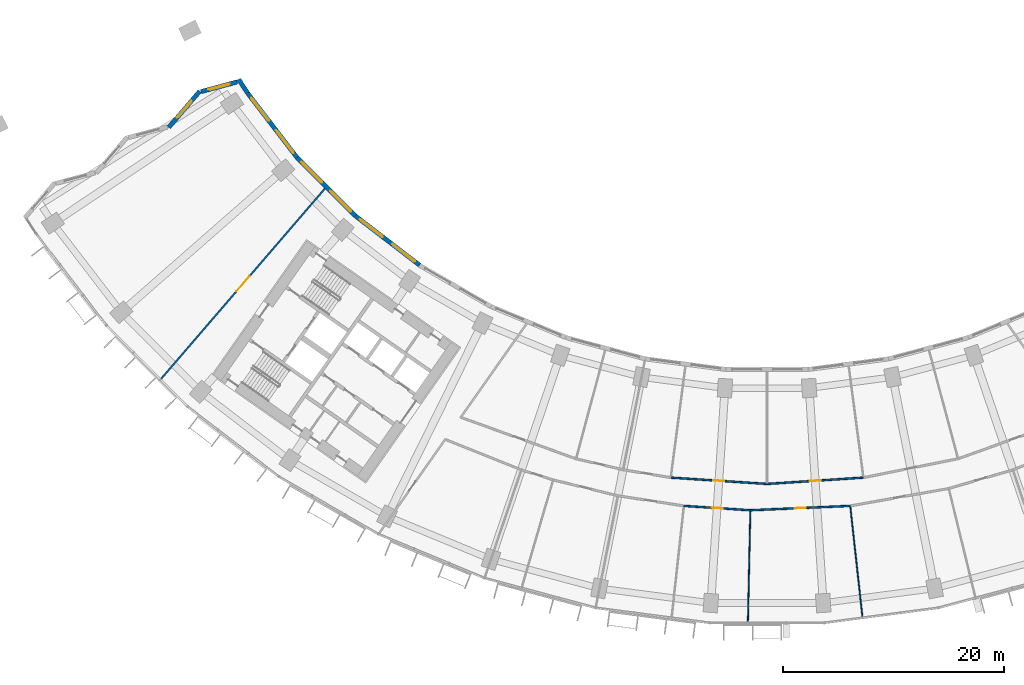
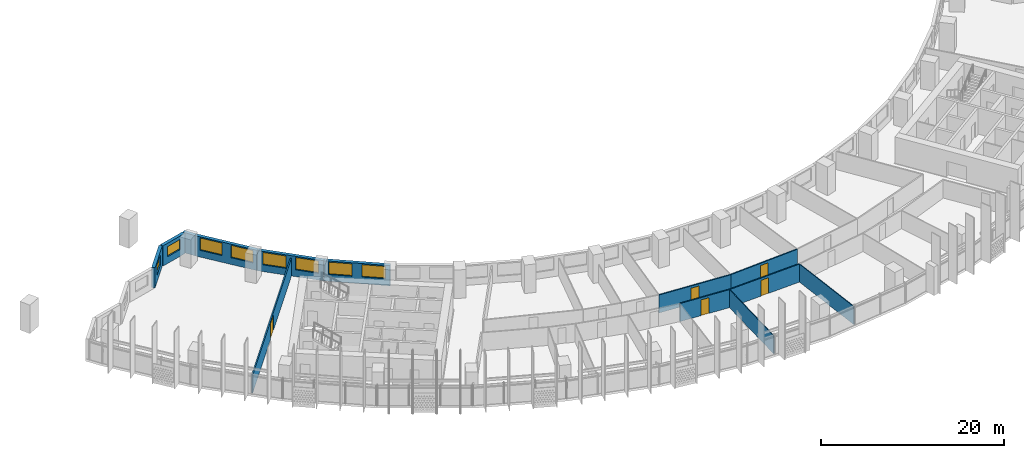
# One storey, part 5 of 31: 13 walls, 8 windows, 5 doors, 13 openings.
"""IFC4 building model written with IfcOpenShell, lengths in metres."""

from ifc_helpers import new_model, si_unit, direction, frame, frame_2d, origin, place, context, subcontext, project, spatial, rectangle, extrude, material, layer, layer_set, type_object, element, fill, save


model = new_model("IFC4")

# Units and contexts
model_context = context("Model", 3, precision=1e-05, world=origin(), true_north=direction((0.0, 1.0)))
body_context = subcontext(model_context, "Body", "Model", "MODEL_VIEW")
ifc_project = project(units=[si_unit("LENGTHUNIT", "METRE"), si_unit("AREAUNIT", "SQUARE_METRE"), si_unit("VOLUMEUNIT", "CUBIC_METRE"), si_unit("PLANEANGLEUNIT", "RADIAN"), si_unit("MASSUNIT", "GRAM", prefix="KILO")], contexts=[model_context])

# Site, building, storey
site_placement = place(None, origin())
site = spatial("IfcSite", under=ifc_project, at=site_placement, CompositionType="ELEMENT")
building_placement = place(site_placement, origin())
building = spatial("IfcBuilding", under=site, at=building_placement, Name="Qamariyya Broadcast Tower", CompositionType="ELEMENT")
storey_placement = place(building_placement, frame((0.0, 0.0, 48.10009765625)))
storey = spatial("IfcBuildingStorey", under=building, at=storey_placement, Name="L08", CompositionType="ELEMENT", Elevation=48.10009765625)

# Wall, opening, door
ifc_material_1 = material(Name="Gypsum board partition")
ifc_layer_1 = layer(ifc_material_1, 0.14990234375)
ifc_layer_set_1 = layer_set([ifc_layer_1], Name="Corridor partition 150 EI 60")
wall_type_1 = type_object("IfcWallType", Name="Corridor partition 150 EI 60", PredefinedType="PARTITIONING", material=ifc_layer_set_1)
wall_1_placement = place(storey_placement, frame((-54.842041015625, -57.27685546875, 0.0), z_axis=(0.0, 0.0, 1.0), x_axis=(0.652471531746, 0.757813235739, 0.0)))
wall_1 = element("IfcWall", 1, at=wall_1_placement, inside=storey, type_object=wall_type_1, Name="Partition L08-001", PredefinedType="PARTITIONING", context=body_context, shape_type="SweptSolid", body=[
    extrude(rectangle(XDim=22.71484375, YDim=0.14990234375, at=frame_2d((11.357421875, 0.0))), origin(), (0.0, 0.0, 1.0), 2.39990234375),
])
opening_1_placement = place(wall_1_placement, frame((10.45751953125, 0.0, 0.0)))
opening_1 = element("IfcOpeningElement", 2, at=opening_1_placement, cuts=wall_1, Name="Opening L08-D17", PredefinedType="OPENING", context=body_context, shape_type="SweptSolid", body=[
    extrude(rectangle(XDim=1.800048828125, YDim=2.10009765625, at=frame_2d((0.89990234375, 1.050048828125))), frame((0.0, 0.0849609375, 0.0), z_axis=(0.0, -1.0, 0.0), x_axis=(1.0, 0.0, 0.0)), (0.0, 0.0, 1.0), 0.169921875),
])
ifc_material_2 = material(Name="Timber fire door leaf", Category="wood")
door_type_1 = type_object("IfcDoorType", Name="Double fire door 1800 x 2100 FD60", OperationType="NOTDEFINED", PredefinedType="DOOR", material=ifc_material_2)
door_1_placement = place(opening_1_placement, origin())
door_1 = element("IfcDoor", 3, at=door_1_placement, inside=storey, type_object=door_type_1, Name="Door L08-D17", OperationType="DOUBLE_DOOR_SINGLE_SWING", OverallHeight=2.10009765625, OverallWidth=1.800048828125, PredefinedType="DOOR", context=body_context, shape_type="SweptSolid", body=[
    extrude(rectangle(XDim=1.800048828125, YDim=2.10009765625, at=frame_2d((0.89990234375, 1.050048828125))), frame((0.0, 0.02490234375, 0.0), z_axis=(0.0, -1.0, 0.0), x_axis=(1.0, 0.0, 0.0)), (0.0, 0.0, 1.0), 0.050048828125),
])
fill(opening_1, door_1)

wall_2_placement = place(storey_placement, frame((-8.71923828125, -66.228515625, 0.0), z_axis=(0.0, 0.0, 1.0), x_axis=(0.997858593599, -0.065408158359, 0.0)))
wall_2 = element("IfcWall", 4, at=wall_2_placement, inside=storey, type_object=wall_type_1, Name="Partition L08-016", PredefinedType="PARTITIONING", context=body_context, shape_type="SweptSolid", body=[
    extrude(rectangle(XDim=8.738037109375, YDim=0.14990234375, at=frame_2d((4.369140625, 0.0))), origin(), (0.0, 0.0, 1.0), 2.39990234375),
])
opening_2_placement = place(wall_2_placement, frame((3.868896484375, 0.0, 0.0)))
opening_2 = element("IfcOpeningElement", 5, at=opening_2_placement, cuts=wall_2, Name="Opening L08-D13", PredefinedType="OPENING", context=body_context, shape_type="SweptSolid", body=[
    extrude(rectangle(XDim=1.0, YDim=2.10009765625, at=frame_2d((0.5, 1.050048828125))), frame((0.0, 0.0849609375, 0.0), z_axis=(0.0, -1.0, 0.0), x_axis=(1.0, 0.0, 0.0)), (0.0, 0.0, 1.0), 0.169921875),
])
door_type_2 = type_object("IfcDoorType", Name="Fire door 1000 x 2100 FD60", OperationType="NOTDEFINED", PredefinedType="DOOR", material=ifc_material_2)
door_2_placement = place(opening_2_placement, origin())
door_2 = element("IfcDoor", 6, at=door_2_placement, inside=storey, type_object=door_type_2, Name="Door L08-D13", OperationType="SINGLE_SWING_RIGHT", OverallHeight=2.10009765625, OverallWidth=1.0, PredefinedType="DOOR", context=body_context, shape_type="SweptSolid", body=[
    extrude(rectangle(XDim=1.0, YDim=2.10009765625, at=frame_2d((0.5, 1.050048828125))), frame((0.0, 0.02490234375, 0.0), z_axis=(0.0, -1.0, 0.0), x_axis=(1.0, 0.0, 0.0)), (0.0, 0.0, 1.0), 0.050048828125),
])
fill(opening_2, door_2)

wall_3_placement = place(storey_placement, frame((-1.511474609375, -69.18359375, 0.0), z_axis=(0.0, 0.0, 1.0), x_axis=(-0.997856905736, 0.065433903101, 0.0)))
wall_3 = element("IfcWall", 7, at=wall_3_placement, inside=storey, type_object=wall_type_1, Name="Partition L08-018", PredefinedType="PARTITIONING", context=body_context, shape_type="SweptSolid", body=[
    extrude(rectangle(XDim=6.033203125, YDim=0.14990234375, at=frame_2d((3.0166015625, 0.0))), origin(), (0.0, 0.0, 1.0), 2.39990234375),
])
opening_3_placement = place(wall_3_placement, frame((2.5166015625, 0.0, 0.0)))
opening_3 = element("IfcOpeningElement", 8, at=opening_3_placement, cuts=wall_3, Name="Opening L08-D05", PredefinedType="OPENING", context=body_context, shape_type="SweptSolid", body=[
    extrude(rectangle(XDim=1.0, YDim=2.10009765625, at=frame_2d((0.5, 1.050048828125))), frame((0.0, 0.0849609375, 0.0), z_axis=(0.0, -1.0, 0.0), x_axis=(1.0, 0.0, 0.0)), (0.0, 0.0, 1.0), 0.169921875),
])
door_3_placement = place(opening_3_placement, origin())
door_3 = element("IfcDoor", 9, at=door_3_placement, inside=storey, type_object=door_type_2, Name="Door L08-D05", OperationType="SINGLE_SWING_RIGHT", OverallHeight=2.10009765625, OverallWidth=1.0, PredefinedType="DOOR", context=body_context, shape_type="SweptSolid", body=[
    extrude(rectangle(XDim=1.0, YDim=2.10009765625, at=frame_2d((0.5, 1.050048828125))), frame((0.0, 0.02490234375, 0.0), z_axis=(0.0, -1.0, 0.0), x_axis=(1.0, 0.0, 0.0)), (0.0, 0.0, 1.0), 0.050048828125),
])
fill(opening_3, door_3)

wall_4_placement = place(storey_placement, frame((7.53173828125, -68.788818359375, 0.0), z_axis=(0.0, 0.0, 1.0), x_axis=(-0.999048509506, -0.043612792308, 0.0)))
wall_4 = element("IfcWall", 10, at=wall_4_placement, inside=storey, type_object=wall_type_1, Name="Partition L08-021", PredefinedType="PARTITIONING", context=body_context, shape_type="SweptSolid", body=[
    extrude(rectangle(XDim=9.0517578125, YDim=0.14990234375, at=frame_2d((4.52587890625, 0.0))), origin(), (0.0, 0.0, 1.0), 2.39990234375),
])
opening_4_placement = place(wall_4_placement, frame((4.02587890625, 0.0, 0.0)))
opening_4 = element("IfcOpeningElement", 11, at=opening_4_placement, cuts=wall_4, Name="Opening L08-D06", PredefinedType="OPENING", context=body_context, shape_type="SweptSolid", body=[
    extrude(rectangle(XDim=1.0, YDim=2.10009765625, at=frame_2d((0.5, 1.050048828125))), frame((0.0, 0.0849609375, 0.0), z_axis=(0.0, -1.0, 0.0), x_axis=(1.0, 0.0, 0.0)), (0.0, 0.0, 1.0), 0.169921875),
])
door_4_placement = place(opening_4_placement, origin())
door_4 = element("IfcDoor", 12, at=door_4_placement, inside=storey, type_object=door_type_2, Name="Door L08-D06", OperationType="SINGLE_SWING_RIGHT", OverallHeight=2.10009765625, OverallWidth=1.0, PredefinedType="DOOR", context=body_context, shape_type="SweptSolid", body=[
    extrude(rectangle(XDim=1.0, YDim=2.10009765625, at=frame_2d((0.5, 1.050048828125))), frame((0.0, 0.02490234375, 0.0), z_axis=(0.0, -1.0, 0.0), x_axis=(1.0, 0.0, 0.0)), (0.0, 0.0, 1.0), 0.050048828125),
])
fill(opening_4, door_4)

wall_5_placement = place(storey_placement, frame((0.0, -66.800048828125, 0.0), z_axis=(0.0, 0.0, 1.0), x_axis=(0.997858593599, 0.065408158359, 0.0)))
wall_5 = element("IfcWall", 13, at=wall_5_placement, inside=storey, type_object=wall_type_1, Name="Partition L08-022", PredefinedType="PARTITIONING", context=body_context, shape_type="SweptSolid", body=[
    extrude(rectangle(XDim=8.738037109375, YDim=0.14990234375, at=frame_2d((4.369140625, 0.0))), origin(), (0.0, 0.0, 1.0), 2.39990234375),
])
opening_5_placement = place(wall_5_placement, frame((3.868896484375, 0.0, 0.0)))
opening_5 = element("IfcOpeningElement", 14, at=opening_5_placement, cuts=wall_5, Name="Opening L08-D14", PredefinedType="OPENING", context=body_context, shape_type="SweptSolid", body=[
    extrude(rectangle(XDim=1.0, YDim=2.10009765625, at=frame_2d((0.5, 1.050048828125))), frame((0.0, 0.0849609375, 0.0), z_axis=(0.0, -1.0, 0.0), x_axis=(1.0, 0.0, 0.0)), (0.0, 0.0, 1.0), 0.169921875),
])
door_5_placement = place(opening_5_placement, origin())
door_5 = element("IfcDoor", 15, at=door_5_placement, inside=storey, type_object=door_type_2, Name="Door L08-D14", OperationType="SINGLE_SWING_RIGHT", OverallHeight=2.10009765625, OverallWidth=1.0, PredefinedType="DOOR", context=body_context, shape_type="SweptSolid", body=[
    extrude(rectangle(XDim=1.0, YDim=2.10009765625, at=frame_2d((0.5, 1.050048828125))), frame((0.0, 0.02490234375, 0.0), z_axis=(0.0, -1.0, 0.0), x_axis=(1.0, 0.0, 0.0)), (0.0, 0.0, 1.0), 0.050048828125),
])
fill(opening_5, door_5)

# Walls
ifc_layer_2 = layer(ifc_material_1, 0.10009765625)
ifc_layer_set_2 = layer_set([ifc_layer_2], Name="Partition 100")
wall_type_2 = type_object("IfcWallType", Name="Partition 100", PredefinedType="PARTITIONING", material=ifc_layer_set_2)
for number, where, z_axis, x_axis, name in (
    (16, (-1.732177734375, -79.279541015625, 0.0), (0.0, 0.0, 1.0), (0.021848313685, 0.999761297105, 0.0), "Partition L08-020"),
    (17, (8.630859375, -78.827392578125, 0.0), (0.0, 0.0, 1.0), (-0.108851448718, 0.994058027538, 0.0), "Partition L08-026"),
):
    element("IfcWall", number, at=place(storey_placement, frame(where, z_axis=z_axis, x_axis=x_axis)), inside=storey, type_object=wall_type_2, Name=name, PredefinedType="PARTITIONING", context=body_context, shape_type="SweptSolid", body=[
        extrude(rectangle(XDim=10.0234375, YDim=0.10009765625, at=frame_2d((5.01171875, 0.0))), origin(), (0.0, 0.0, 1.0), 2.39990234375),
    ])

# Wall, opening, window
ifc_material_3 = material(Name="Terracotta", Category="masonry")
ifc_layer_3 = layer(ifc_material_3, 0.39990234375)
ifc_layer_set_3 = layer_set([ifc_layer_3], Name="Terracotta clad wall 400")
wall_type_3 = type_object("IfcWallType", Name="Terracotta clad wall 400", PredefinedType="SOLIDWALL", material=ifc_layer_set_3)
wall_6_placement = place(storey_placement, frame((-47.96044921875, -30.404052734375, 0.0), z_axis=(0.0, 0.0, 1.0), x_axis=(-0.965577548367, -0.260115355352, 0.0)))
wall_6 = element("IfcWall", 18, at=wall_6_placement, inside=storey, type_object=wall_type_3, Name="e-wl-L08-capW0", PredefinedType="SOLIDWALL", context=body_context, shape_type="SweptSolid", body=[
    extrude(rectangle(XDim=3.39404296875, YDim=0.39990234375, at=frame_2d((1.697021484375, 0.0))), origin(), (0.0, 0.0, 1.0), 2.699951171875),
])
opening_6_placement = place(wall_6_placement, frame((0.697021484375, 0.0, 0.89990234375)))
opening_6 = element("IfcOpeningElement", 19, at=opening_6_placement, cuts=wall_6, Name="Opening W4", PredefinedType="OPENING", context=body_context, shape_type="SweptSolid", body=[
    extrude(rectangle(XDim=2.0, YDim=1.35009765625, at=frame_2d((1.0, 0.675048828125))), frame((0.0, 0.2099609375, 0.0), z_axis=(0.0, -1.0, 0.0), x_axis=(1.0, 0.0, 0.0)), (0.0, 0.0, 1.0), 0.419921875),
])
ifc_material_4 = material(Name="Clear low-e double glazed unit in aluminium frame", Category="aluminium")
window_type_1 = type_object("IfcWindowType", Name="Horn bay window 2000 x 1350", PartitioningType="SINGLE_PANEL", PredefinedType="WINDOW", material=ifc_material_4)
window_1_placement = place(opening_6_placement, origin())
window_1 = element("IfcWindow", 20, at=window_1_placement, inside=storey, type_object=window_type_1, Name="e-w-L08-capW0", OverallHeight=1.35009765625, OverallWidth=2.0, PartitioningType="SINGLE_PANEL", PredefinedType="WINDOW", context=body_context, shape_type="SweptSolid", body=[
    extrude(rectangle(XDim=2.0, YDim=1.35009765625, at=frame_2d((1.0, 0.675048828125))), frame((0.0, 0.030029296875, 0.0), z_axis=(0.0, -1.0, 0.0), x_axis=(1.0, 0.0, 0.0)), (0.0, 0.0, 1.0), 0.06005859375),
])
fill(opening_6, window_1)

wall_7_placement = place(storey_placement, frame((-51.3623046875, -31.256103515625, 0.0), z_axis=(0.0, 0.0, 1.0), x_axis=(-0.650533929221, -0.759477193161, 0.0)))
wall_7 = element("IfcWall", 21, at=wall_7_placement, inside=storey, type_object=wall_type_3, Name="e-wl-L08-capW1", PredefinedType="SOLIDWALL", context=body_context, shape_type="SweptSolid", body=[
    extrude(rectangle(XDim=4.2958984375, YDim=0.39990234375, at=frame_2d((2.14794921875, 0.0))), origin(), (0.0, 0.0, 1.0), 2.699951171875),
])
opening_7_placement = place(wall_7_placement, frame((1.14794921875, 0.0, 0.89990234375)))
opening_7 = element("IfcOpeningElement", 22, at=opening_7_placement, cuts=wall_7, Name="Opening W4", PredefinedType="OPENING", context=body_context, shape_type="SweptSolid", body=[
    extrude(rectangle(XDim=2.0, YDim=1.35009765625, at=frame_2d((1.0, 0.675048828125))), frame((0.0, 0.2099609375, 0.0), z_axis=(0.0, -1.0, 0.0), x_axis=(1.0, 0.0, 0.0)), (0.0, 0.0, 1.0), 0.419921875),
])
window_2_placement = place(opening_7_placement, origin())
window_2 = element("IfcWindow", 23, at=window_2_placement, inside=storey, type_object=window_type_1, Name="e-w-L08-capW1", OverallHeight=1.35009765625, OverallWidth=2.0, PartitioningType="SINGLE_PANEL", PredefinedType="WINDOW", context=body_context, shape_type="SweptSolid", body=[
    extrude(rectangle(XDim=2.0, YDim=1.35009765625, at=frame_2d((1.0, 0.675048828125))), frame((0.0, 0.030029296875, 0.0), z_axis=(0.0, -1.0, 0.0), x_axis=(1.0, 0.0, 0.0)), (0.0, 0.0, 1.0), 0.06005859375),
])
fill(opening_7, window_2)

# Wall
wall_8_placement = place(storey_placement, frame((-47.008544921875, -31.4345703125, 0.0), z_axis=(0.0, 0.0, 1.0), x_axis=(-0.545022764295, 0.838421246391, 0.0)))
element("IfcWall", 24, at=wall_8_placement, inside=storey, type_object=wall_type_3, Name="e-wl-L08-in00", PredefinedType="SOLIDWALL", context=body_context, shape_type="SweptSolid", body=[
    extrude(rectangle(XDim=1.49609375, YDim=0.39990234375, at=frame_2d((0.748046875, 0.0))), origin(), (0.0, 0.0, 1.0), 2.699951171875),
])

# Wall, openings, windows
wall_9_placement = place(storey_placement, frame((-42.5478515625, -37.24609375, 0.0), z_axis=(0.0, 0.0, 1.0), x_axis=(-0.608753289302, 0.793359586041, 0.0)))
wall_9 = element("IfcWall", 25, at=wall_9_placement, inside=storey, type_object=wall_type_3, Name="e-wl-L08-in10", PredefinedType="SOLIDWALL", context=body_context, shape_type="SweptSolid", body=[
    extrude(rectangle(XDim=7.310791015625, YDim=0.39990234375, at=frame_2d((3.6552734375, 0.0))), origin(), (0.0, 0.0, 1.0), 2.699951171875),
])
opening_8_placement = place(wall_9_placement, frame((4.190673828125, 0.0, 0.89990234375)))
opening_8 = element("IfcOpeningElement", 26, at=opening_8_placement, cuts=wall_9, Name="Opening W1", PredefinedType="OPENING", context=body_context, shape_type="SweptSolid", body=[
    extrude(rectangle(XDim=2.60009765625, YDim=1.64990234375, at=frame_2d((1.300048828125, 0.824951171875))), frame((0.0, 0.2099609375, 0.0), z_axis=(0.0, -1.0, 0.0), x_axis=(1.0, 0.0, 0.0)), (0.0, 0.0, 1.0), 0.419921875),
])
opening_9_placement = place(wall_9_placement, frame((0.505126953125, 0.0, 0.89990234375)))
opening_9 = element("IfcOpeningElement", 27, at=opening_9_placement, cuts=wall_9, Name="Opening W1", PredefinedType="OPENING", context=body_context, shape_type="SweptSolid", body=[
    extrude(rectangle(XDim=2.60009765625, YDim=1.64990234375, at=frame_2d((1.300048828125, 0.824951171875))), frame((0.0, 0.2099609375, 0.0), z_axis=(0.0, -1.0, 0.0), x_axis=(1.0, 0.0, 0.0)), (0.0, 0.0, 1.0), 0.419921875),
])
window_type_2 = type_object("IfcWindowType", Name="Ribbon window 2600 x 1650", PartitioningType="SINGLE_PANEL", PredefinedType="WINDOW", material=ifc_material_4)
window_3_placement = place(opening_8_placement, origin())
window_3 = element("IfcWindow", 28, at=window_3_placement, inside=storey, type_object=window_type_2, Name="e-w-L08-in01-0", OverallHeight=1.64990234375, OverallWidth=2.60009765625, PartitioningType="SINGLE_PANEL", PredefinedType="WINDOW", context=body_context, shape_type="SweptSolid", body=[
    extrude(rectangle(XDim=2.60009765625, YDim=1.64990234375, at=frame_2d((1.300048828125, 0.824951171875))), frame((0.0, 0.030029296875, 0.0), z_axis=(0.0, -1.0, 0.0), x_axis=(1.0, 0.0, 0.0)), (0.0, 0.0, 1.0), 0.06005859375),
])
fill(opening_8, window_3)
window_4_placement = place(opening_9_placement, origin())
window_4 = element("IfcWindow", 29, at=window_4_placement, inside=storey, type_object=window_type_2, Name="e-w-L08-in01-1", OverallHeight=1.64990234375, OverallWidth=2.60009765625, PartitioningType="SINGLE_PANEL", PredefinedType="WINDOW", context=body_context, shape_type="SweptSolid", body=[
    extrude(rectangle(XDim=2.60009765625, YDim=1.64990234375, at=frame_2d((1.300048828125, 0.824951171875))), frame((0.0, 0.030029296875, 0.0), z_axis=(0.0, -1.0, 0.0), x_axis=(1.0, 0.0, 0.0)), (0.0, 0.0, 1.0), 0.06005859375),
])
fill(opening_9, window_4)

wall_10_placement = place(storey_placement, frame((-37.2685546875, -42.534423828125, 0.0), z_axis=(0.0, 0.0, 1.0), x_axis=(-0.707106781187, 0.707106781187, 0.0)))
wall_10 = element("IfcWall", 30, at=wall_10_placement, inside=storey, type_object=wall_type_3, Name="e-wl-L08-in20", PredefinedType="SOLIDWALL", context=body_context, shape_type="SweptSolid", body=[
    extrude(rectangle(XDim=7.447021484375, YDim=0.39990234375, at=frame_2d((3.7236328125, 0.0))), origin(), (0.0, 0.0, 1.0), 2.699951171875),
])
opening_10_placement = place(wall_10_placement, frame((4.266357421875, 0.0, 0.89990234375)))
opening_10 = element("IfcOpeningElement", 31, at=opening_10_placement, cuts=wall_10, Name="Opening W1", PredefinedType="OPENING", context=body_context, shape_type="SweptSolid", body=[
    extrude(rectangle(XDim=2.60009765625, YDim=1.64990234375, at=frame_2d((1.300048828125, 0.824951171875))), frame((0.0, 0.2099609375, 0.0), z_axis=(0.0, -1.0, 0.0), x_axis=(1.0, 0.0, 0.0)), (0.0, 0.0, 1.0), 0.419921875),
])
opening_11_placement = place(wall_10_placement, frame((0.580810546875, 0.0, 0.89990234375)))
opening_11 = element("IfcOpeningElement", 32, at=opening_11_placement, cuts=wall_10, Name="Opening W1", PredefinedType="OPENING", context=body_context, shape_type="SweptSolid", body=[
    extrude(rectangle(XDim=2.60009765625, YDim=1.64990234375, at=frame_2d((1.300048828125, 0.824951171875))), frame((0.0, 0.2099609375, 0.0), z_axis=(0.0, -1.0, 0.0), x_axis=(1.0, 0.0, 0.0)), (0.0, 0.0, 1.0), 0.419921875),
])
window_5_placement = place(opening_10_placement, origin())
window_5 = element("IfcWindow", 33, at=window_5_placement, inside=storey, type_object=window_type_2, Name="e-w-L08-in02-0", OverallHeight=1.64990234375, OverallWidth=2.60009765625, PartitioningType="SINGLE_PANEL", PredefinedType="WINDOW", context=body_context, shape_type="SweptSolid", body=[
    extrude(rectangle(XDim=2.60009765625, YDim=1.64990234375, at=frame_2d((1.300048828125, 0.824951171875))), frame((0.0, 0.030029296875, 0.0), z_axis=(0.0, -1.0, 0.0), x_axis=(1.0, 0.0, 0.0)), (0.0, 0.0, 1.0), 0.06005859375),
])
fill(opening_10, window_5)
window_6_placement = place(opening_11_placement, origin())
window_6 = element("IfcWindow", 34, at=window_6_placement, inside=storey, type_object=window_type_2, Name="e-w-L08-in02-1", OverallHeight=1.64990234375, OverallWidth=2.60009765625, PartitioningType="SINGLE_PANEL", PredefinedType="WINDOW", context=body_context, shape_type="SweptSolid", body=[
    extrude(rectangle(XDim=2.60009765625, YDim=1.64990234375, at=frame_2d((1.300048828125, 0.824951171875))), frame((0.0, 0.030029296875, 0.0), z_axis=(0.0, -1.0, 0.0), x_axis=(1.0, 0.0, 0.0)), (0.0, 0.0, 1.0), 0.06005859375),
])
fill(opening_11, window_6)

wall_11_placement = place(storey_placement, frame((-31.4580078125, -46.989013671875, 0.0), z_axis=(0.0, 0.0, 1.0), x_axis=(-0.79336607943, 0.60874482668, 0.0)))
wall_11 = element("IfcWall", 35, at=wall_11_placement, inside=storey, type_object=wall_type_3, Name="e-wl-L08-in30", PredefinedType="SOLIDWALL", context=body_context, shape_type="SweptSolid", body=[
    extrude(rectangle(XDim=7.295654296875, YDim=0.39990234375, at=frame_2d((3.64794921875, 0.0))), origin(), (0.0, 0.0, 1.0), 2.699951171875),
])
opening_12_placement = place(wall_11_placement, frame((4.190673828125, 0.0, 0.89990234375)))
opening_12 = element("IfcOpeningElement", 36, at=opening_12_placement, cuts=wall_11, Name="Opening W1", PredefinedType="OPENING", context=body_context, shape_type="SweptSolid", body=[
    extrude(rectangle(XDim=2.60009765625, YDim=1.64990234375, at=frame_2d((1.300048828125, 0.824951171875))), frame((0.0, 0.2099609375, 0.0), z_axis=(0.0, -1.0, 0.0), x_axis=(1.0, 0.0, 0.0)), (0.0, 0.0, 1.0), 0.419921875),
])
opening_13_placement = place(wall_11_placement, frame((0.505126953125, 0.0, 0.89990234375)))
opening_13 = element("IfcOpeningElement", 37, at=opening_13_placement, cuts=wall_11, Name="Opening W1", PredefinedType="OPENING", context=body_context, shape_type="SweptSolid", body=[
    extrude(rectangle(XDim=2.60009765625, YDim=1.64990234375, at=frame_2d((1.300048828125, 0.824951171875))), frame((0.0, 0.2099609375, 0.0), z_axis=(0.0, -1.0, 0.0), x_axis=(1.0, 0.0, 0.0)), (0.0, 0.0, 1.0), 0.419921875),
])
window_7_placement = place(opening_12_placement, origin())
window_7 = element("IfcWindow", 38, at=window_7_placement, inside=storey, type_object=window_type_2, Name="e-w-L08-in03-0", OverallHeight=1.64990234375, OverallWidth=2.60009765625, PartitioningType="SINGLE_PANEL", PredefinedType="WINDOW", context=body_context, shape_type="SweptSolid", body=[
    extrude(rectangle(XDim=2.60009765625, YDim=1.64990234375, at=frame_2d((1.300048828125, 0.824951171875))), frame((0.0, 0.030029296875, 0.0), z_axis=(0.0, -1.0, 0.0), x_axis=(1.0, 0.0, 0.0)), (0.0, 0.0, 1.0), 0.06005859375),
])
fill(opening_12, window_7)
window_8_placement = place(opening_13_placement, origin())
window_8 = element("IfcWindow", 39, at=window_8_placement, inside=storey, type_object=window_type_2, Name="e-w-L08-in03-1", OverallHeight=1.64990234375, OverallWidth=2.60009765625, PartitioningType="SINGLE_PANEL", PredefinedType="WINDOW", context=body_context, shape_type="SweptSolid", body=[
    extrude(rectangle(XDim=2.60009765625, YDim=1.64990234375, at=frame_2d((1.300048828125, 0.824951171875))), frame((0.0, 0.030029296875, 0.0), z_axis=(0.0, -1.0, 0.0), x_axis=(1.0, 0.0, 0.0)), (0.0, 0.0, 1.0), 0.06005859375),
])
fill(opening_13, window_8)

save(model, "model.ifc")
